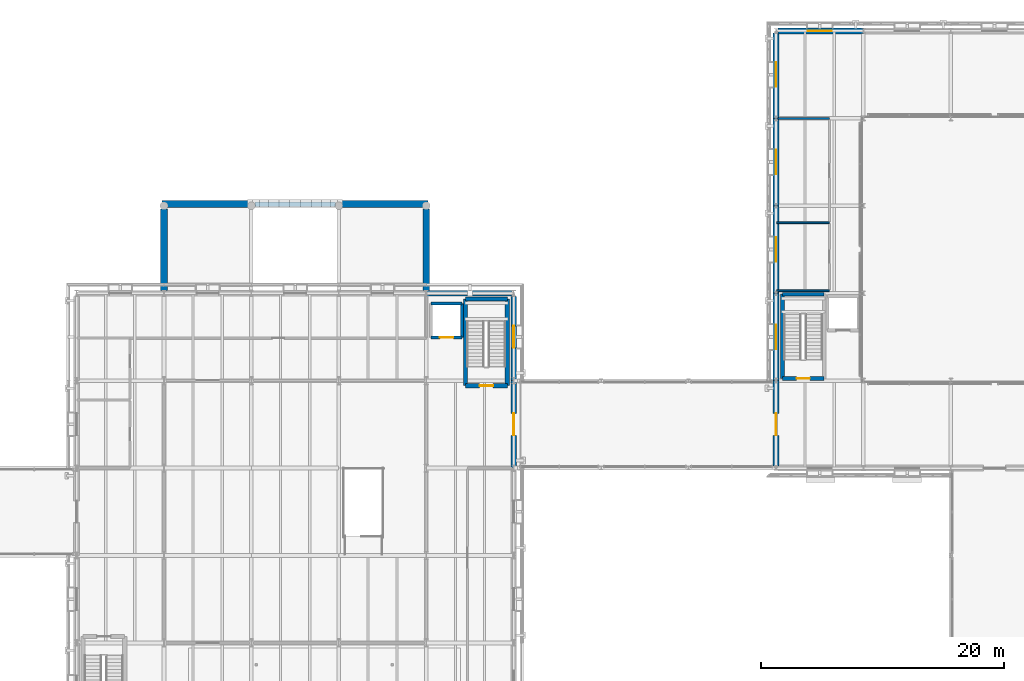
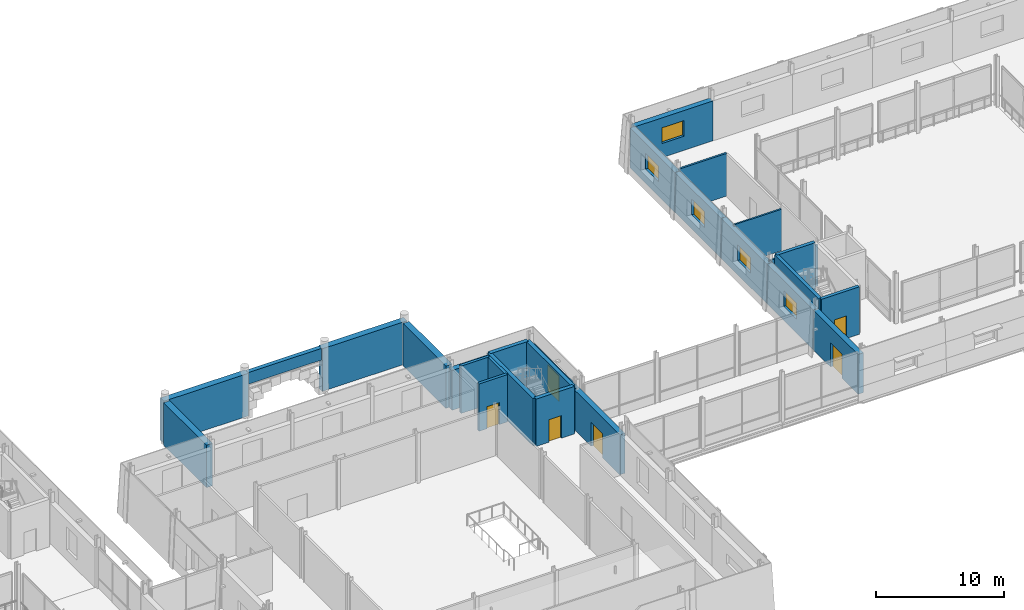
# One storey, part 84 of 121: 27 walls, 6 windows, 5 doors, 11 openings.
"""IFC4 building model written with IfcOpenShell, lengths in metres."""

from ifc_helpers import new_model, si_unit, direction, frame, frame_2d, origin, place, context, subcontext, project, spatial, rectangle, extrude, material, layer, layer_set, type_object, element, fill, save


model = new_model("IFC4")

# Units and contexts
model_context = context("Model", 3, precision=1e-05, world=origin(), true_north=direction((0.0, 1.0)))
body_context = subcontext(model_context, "Body", "Model", "MODEL_VIEW")
ifc_project = project(units=[si_unit("LENGTHUNIT", "METRE"), si_unit("AREAUNIT", "SQUARE_METRE"), si_unit("VOLUMEUNIT", "CUBIC_METRE"), si_unit("PLANEANGLEUNIT", "RADIAN"), si_unit("MASSUNIT", "GRAM", prefix="KILO")], contexts=[model_context])

# Site, building, storey
site_placement = place(None, origin())
site = spatial("IfcSite", under=ifc_project, at=site_placement, CompositionType="ELEMENT")
building_placement = place(site_placement, origin())
building = spatial("IfcBuilding", under=site, at=building_placement, Name="Narikvali Park Central Library", CompositionType="ELEMENT")
storey_placement = place(building_placement, frame((0.0, 0.0, 5.39990234375)))
storey = spatial("IfcBuildingStorey", under=building, at=storey_placement, Name="L01", CompositionType="ELEMENT", Elevation=5.39990234375)

# Walls
ifc_material_1 = material(Name="Kiln-Fired Terracotta Red Brick Masonry", Category="masonry")
ifc_layer_1 = layer(ifc_material_1, 0.56005859375, Name="Kiln-Fired Terracotta Red Brick Masonry")
ifc_layer_set_1 = layer_set([ifc_layer_1], Name="Kiln-Fired Terracotta Red Brick Masonry")
wall_type_1 = type_object("IfcWallType", Name="Kiln-Fired Red Brick Entrance Arch Wall 560", PredefinedType="SOLIDWALL", material=ifc_layer_set_1)
for number, where, z_axis, x_axis, name in (
    (1, (72.0, 93.820068359375, 0.0), (0.0, 0.0, 1.0), (0.0, 1.0, 0.0), "Entrance Portal West Red Brick Side Wall L01"),
    (2, (93.60009765625, 93.820068359375, 0.0), (0.0, 0.0, 1.0), (0.0, 1.0, 0.0), "Entrance Portal East Red Brick Side Wall L01"),
):
    element("IfcWall", number, at=place(storey_placement, frame(where, z_axis=z_axis, x_axis=x_axis)), inside=storey, type_object=wall_type_1, Name=name, PredefinedType="SOLIDWALL", context=body_context, shape_type="SweptSolid", body=[
        extrude(rectangle(XDim=6.699951171875, YDim=0.56005859375, at=frame_2d((3.35009765625, 0.0))), origin(), (0.0, 0.0, 1.0), 4.050048828125),
    ])
for number, where, z_axis, x_axis, name in (
    (3, (71.85009765625, 100.93994140625, 0.0), (0.0, 0.0, 1.0), (1.0, 0.0, 0.0), "Entrance Portal W Upper Red Brick Pylon"),
    (4, (86.1201171875, 100.93994140625, 0.0), (0.0, 0.0, 1.0), (1.0, 0.0, 0.0), "Entrance Portal E Upper Red Brick Pylon"),
):
    element("IfcWall", number, at=place(storey_placement, frame(where, z_axis=z_axis, x_axis=x_axis)), inside=storey, type_object=wall_type_1, Name=name, PredefinedType="SOLIDWALL", context=body_context, shape_type="SweptSolid", body=[
        extrude(rectangle(XDim=7.6298828125, YDim=0.56005859375, at=frame_2d((3.81494140625, 0.0))), origin(), (0.0, 0.0, 1.0), 4.06005859375),
    ])
ifc_layer_2 = layer(ifc_material_1, 0.3798828125, Name="Kiln-Fired Terracotta Red Brick Masonry")
ifc_layer_set_2 = layer_set([ifc_layer_2], Name="Kiln-Fired Terracotta Red Brick Masonry")
wall_type_2 = type_object("IfcWallType", Name="Kiln-Fired Red Brick Spandrel Wall 380", PredefinedType="SOLIDWALL", material=ifc_layer_set_2)
wall_1_placement = place(storey_placement, frame((79.489990234375, 100.93994140625, 2.9501953125), z_axis=(0.0, 0.0, 1.0), x_axis=(1.0, 0.0, 0.0)))
element("IfcWall", 5, at=wall_1_placement, inside=storey, type_object=wall_type_2, Name="Entrance Arch Upper Red Brick Entablature", PredefinedType="SOLIDWALL", context=body_context, shape_type="SweptSolid", body=[
    extrude(rectangle(XDim=6.6201171875, YDim=0.3798828125, at=frame_2d((3.31005859375, 0.0))), origin(), (0.0, 0.0, 1.0), 1.10986328125),
])
ifc_material_2 = material(Name="Moisture-Resistant Cement Board on Steel Studs", Category="steel")
ifc_layer_3 = layer(ifc_material_2, 0.14990234375, Name="Moisture-Resistant Cement Board on Steel Studs")
ifc_layer_set_3 = layer_set([ifc_layer_3], Name="Moisture-Resistant Cement Board on Steel Studs")
wall_type_3 = type_object("IfcWallType", Name="Moisture-Resistant WC Partition 150", PredefinedType="PARTITIONING", material=ifc_layer_set_3)
for number, where, z_axis, x_axis, name in (
    (6, (122.455078125, 93.800048828125, 0.0), (0.0, 0.0, 1.0), (1.0, 0.0, 0.0), "Upper Circle Accessible WC L01 Partition S"),
    (7, (122.455078125, 99.39990234375, 0.0), (0.0, 0.0, 1.0), (1.0, 0.0, 0.0), "Upper Circle Accessible WC L01 Partition N"),
):
    element("IfcWall", number, at=place(storey_placement, frame(where, z_axis=z_axis, x_axis=x_axis)), inside=storey, type_object=wall_type_3, Name=name, PredefinedType="PARTITIONING", context=body_context, shape_type="SweptSolid", body=[
        extrude(rectangle(XDim=4.344970703125, YDim=0.14990234375, at=frame_2d((2.17236328125, 0.0))), origin(), (0.0, 0.0, 1.0), 3.955078125),
    ])
ifc_material_3 = material(Name="Acoustic Gypsum on Steel Studs", Category="steel")
ifc_layer_4 = layer(ifc_material_3, 0.179931640625, Name="Acoustic Gypsum on Steel Studs")
ifc_layer_set_4 = layer_set([ifc_layer_4], Name="Acoustic Gypsum on Steel Studs")
wall_type_4 = type_object("IfcWallType", Name="Reading Room Acoustic Partition 180", PredefinedType="PARTITIONING", material=ifc_layer_set_4)
wall_2_placement = place(storey_placement, frame((122.553955078125, 108.0, 0.0), z_axis=(0.0, 0.0, 1.0), x_axis=(1.0, 0.0, 0.0)))
element("IfcWall", 8, at=wall_2_placement, inside=storey, type_object=wall_type_4, Name="Simultaneous Interpretation and Projection Suite Partition N", PredefinedType="PARTITIONING", context=body_context, shape_type="SweptSolid", body=[
    extrude(rectangle(XDim=4.24609375, YDim=0.179931640625, at=frame_2d((2.123046875, 0.0))), origin(), (0.0, 0.0, 1.0), 4.065185546875),
])

# Wall, opening, door
ifc_material_4 = material(Name="Concrete C40/50", Category="concrete")
ifc_layer_5 = layer(ifc_material_4, 0.35009765625, Name="Concrete C40/50")
ifc_layer_set_5 = layer_set([ifc_layer_5], Name="Concrete C40/50")
wall_type_5 = type_object("IfcWallType", Name="Reinforced Concrete Core Shear Wall 350", PredefinedType="SHEAR", material=ifc_layer_set_5)
wall_3_placement = place(storey_placement, frame((96.830078125, 85.97998046875, 0.0), z_axis=(0.0, 0.0, 1.0), x_axis=(1.0, 0.0, 0.0)))
wall_3 = element("IfcWall", 9, at=wall_3_placement, inside=storey, type_object=wall_type_5, Name="C1B L01 Stair Core Shear Wall S", PredefinedType="SHEAR", context=body_context, shape_type="SweptSolid", body=[
    extrude(rectangle(XDim=3.43994140625, YDim=0.35009765625, at=frame_2d((1.719970703125, 0.0))), origin(), (0.0, 0.0, 1.0), 4.52001953125),
])
opening_1_placement = place(wall_3_placement, frame((1.169921875, 0.0, 0.0)))
opening_1 = element("IfcOpeningElement", 10, at=opening_1_placement, cuts=wall_3, Name="Opening SD-008", PredefinedType="OPENING", context=body_context, shape_type="SweptSolid", body=[
    extrude(rectangle(XDim=1.10009765625, YDim=2.14990234375, at=frame_2d((0.550048828125, 1.074951171875))), frame((0.0, 0.18701171875, 0.0), z_axis=(0.0, -1.0, 0.0), x_axis=(1.0, 0.0, 0.0)), (0.0, 0.0, 1.0), 0.3740234375),
])
ifc_material_5 = material(Name="Powder-Coated Steel S275 Fire Leaf", Category="steel")
door_type_1 = type_object("IfcDoorType", Name="Stair Core Smoke-Control Fire Door 1100x2150", OperationType="SINGLE_SWING_LEFT", PredefinedType="DOOR", material=ifc_material_5)
door_1_placement = place(opening_1_placement, frame((1.10009765625, 0.0, 0.0), z_axis=(0.0, 0.0, 1.0), x_axis=(-1.0, 0.0, 0.0)))
door_1 = element("IfcDoor", 11, at=door_1_placement, inside=storey, type_object=door_type_1, Name="ST-02 L01 Stair Exit Door SD-008", OperationType="SINGLE_SWING_RIGHT", OverallHeight=2.14990234375, OverallWidth=1.10009765625, PredefinedType="DOOR", context=body_context, shape_type="SweptSolid", body=[
    extrude(rectangle(XDim=1.10009765625, YDim=2.14990234375, at=frame_2d((0.550048828125, 1.074951171875))), frame((0.0, 0.02490234375, 0.0), z_axis=(0.0, -1.0, 0.0), x_axis=(1.0, 0.0, 0.0)), (0.0, 0.0, 1.0), 0.050048828125),
])
fill(opening_1, door_1)

# Walls
wall_4_placement = place(storey_placement, frame((100.27001953125, 85.97998046875, 0.0), z_axis=(0.0, 0.0, 1.0), x_axis=(0.0, 1.0, 0.0)))
element("IfcWall", 12, at=wall_4_placement, inside=storey, type_object=wall_type_5, Name="C1B L01 Stair Core Shear Wall E", PredefinedType="SHEAR", context=body_context, shape_type="SweptSolid", body=[
    extrude(rectangle(XDim=7.14013671875, YDim=0.35009765625, at=frame_2d((3.570068359375, 0.0))), origin(), (0.0, 0.0, 1.0), 4.52001953125),
])
wall_5_placement = place(storey_placement, frame((100.27001953125, 93.1201171875, 0.0), z_axis=(0.0, 0.0, 1.0), x_axis=(-1.0, 0.0, 0.0)))
element("IfcWall", 13, at=wall_5_placement, inside=storey, type_object=wall_type_5, Name="C1B L01 Stair Core Shear Wall N", PredefinedType="SHEAR", context=body_context, shape_type="SweptSolid", body=[
    extrude(rectangle(XDim=3.43994140625, YDim=0.35009765625, at=frame_2d((1.719970703125, 0.0))), origin(), (0.0, 0.0, 1.0), 4.52001953125),
])
wall_6_placement = place(storey_placement, frame((96.830078125, 93.1201171875, 0.0), z_axis=(0.0, 0.0, 1.0), x_axis=(0.0, -1.0, 0.0)))
element("IfcWall", 14, at=wall_6_placement, inside=storey, type_object=wall_type_5, Name="C1B L01 Stair Core Shear Wall W", PredefinedType="SHEAR", context=body_context, shape_type="SweptSolid", body=[
    extrude(rectangle(XDim=7.14013671875, YDim=0.35009765625, at=frame_2d((3.570068359375, 0.0))), origin(), (0.0, 0.0, 1.0), 4.52001953125),
])

# Wall, opening, door
ifc_layer_6 = layer(ifc_material_4, 0.25, Name="Concrete C40/50")
ifc_layer_set_6 = layer_set([ifc_layer_6], Name="Concrete C40/50")
wall_type_6 = type_object("IfcWallType", Name="Reinforced Concrete Lift Shaft Wall 250", PredefinedType="SHEAR", material=ifc_layer_set_6)
wall_7_placement = place(storey_placement, frame((94.0, 89.949951171875, 0.0), z_axis=(0.0, 0.0, 1.0), x_axis=(1.0, 0.0, 0.0)))
wall_7 = element("IfcWall", 15, at=wall_7_placement, inside=storey, type_object=wall_type_6, Name="L-02 L01 Lift Shaft Wall S", PredefinedType="SHEAR", context=body_context, shape_type="SweptSolid", body=[
    extrude(rectangle(XDim=2.550048828125, YDim=0.25, at=frame_2d((1.27490234375, 0.0))), origin(), (0.0, 0.0, 1.0), 4.52001953125),
])
opening_2_placement = place(wall_7_placement, frame((0.72509765625, 0.0, 0.0)))
opening_2 = element("IfcOpeningElement", 16, at=opening_2_placement, cuts=wall_7, Name="Opening LD-008", PredefinedType="OPENING", context=body_context, shape_type="SweptSolid", body=[
    extrude(rectangle(XDim=1.10009765625, YDim=2.10009765625, at=frame_2d((0.550048828125, 1.050048828125))), frame((0.0, 0.136962890625, 0.0), z_axis=(0.0, -1.0, 0.0), x_axis=(1.0, 0.0, 0.0)), (0.0, 0.0, 1.0), 0.27392578125),
])
ifc_material_6 = material(Name="Brushed Stainless Steel S355", Category="steel")
door_type_2 = type_object("IfcDoorType", Name="Passenger Lift Sliding Landing Door 1100x2100", OperationType="SLIDING_TO_LEFT", PredefinedType="DOOR", material=ifc_material_6)
door_2_placement = place(opening_2_placement, origin())
door_2 = element("IfcDoor", 17, at=door_2_placement, inside=storey, type_object=door_type_2, Name="L-02 L01 Lift Landing Sliding Door LD-008", OperationType="SLIDING_TO_LEFT", OverallHeight=2.10009765625, OverallWidth=1.10009765625, PredefinedType="DOOR", context=body_context, shape_type="SweptSolid", body=[
    extrude(rectangle(XDim=1.10009765625, YDim=2.10009765625, at=frame_2d((0.550048828125, 1.050048828125))), frame((0.0, 0.02490234375, 0.0), z_axis=(0.0, -1.0, 0.0), x_axis=(1.0, 0.0, 0.0)), (0.0, 0.0, 1.0), 0.050048828125),
])
fill(opening_2, door_2)

# Walls
wall_8_placement = place(storey_placement, frame((96.550048828125, 89.949951171875, 0.0), z_axis=(0.0, 0.0, 1.0), x_axis=(0.0, 1.0, 0.0)))
element("IfcWall", 18, at=wall_8_placement, inside=storey, type_object=wall_type_6, Name="L-02 L01 Lift Shaft Wall E", PredefinedType="SHEAR", context=body_context, shape_type="SweptSolid", body=[
    extrude(rectangle(XDim=2.800048828125, YDim=0.25, at=frame_2d((1.39990234375, 0.0))), origin(), (0.0, 0.0, 1.0), 4.52001953125),
])
wall_9_placement = place(storey_placement, frame((96.550048828125, 92.75, 0.0), z_axis=(0.0, 0.0, 1.0), x_axis=(-1.0, 0.0, 0.0)))
element("IfcWall", 19, at=wall_9_placement, inside=storey, type_object=wall_type_6, Name="L-02 L01 Lift Shaft Wall N", PredefinedType="SHEAR", context=body_context, shape_type="SweptSolid", body=[
    extrude(rectangle(XDim=2.550048828125, YDim=0.25, at=frame_2d((1.27490234375, 0.0))), origin(), (0.0, 0.0, 1.0), 4.52001953125),
])

# Wall, opening, door
ifc_layer_7 = layer(ifc_material_4, 0.300048828125, Name="Concrete C40/50")
ifc_layer_set_7 = layer_set([ifc_layer_7], Name="Concrete C40/50")
wall_type_7 = type_object("IfcWallType", Name="Reinforced Concrete Shear Wall 300", PredefinedType="SHEAR", material=ifc_layer_set_7)
wall_10_placement = place(storey_placement, frame((122.929931640625, 86.580078125, 0.0), z_axis=(0.0, 0.0, 1.0), x_axis=(1.0, 0.0, 0.0)))
wall_10 = element("IfcWall", 20, at=wall_10_placement, inside=storey, type_object=wall_type_7, Name="C3A L01 Stair Core Shear Wall S", PredefinedType="SHEAR", context=body_context, shape_type="SweptSolid", body=[
    extrude(rectangle(XDim=3.440185546875, YDim=0.300048828125, at=frame_2d((1.72021484375, 0.0))), origin(), (0.0, 0.0, 1.0), 4.52001953125),
])
opening_3_placement = place(wall_10_placement, frame((1.169921875, 0.0, 0.0)))
opening_3 = element("IfcOpeningElement", 21, at=opening_3_placement, cuts=wall_10, Name="Opening SD-018", PredefinedType="OPENING", context=body_context, shape_type="SweptSolid", body=[
    extrude(rectangle(XDim=1.10009765625, YDim=2.14990234375, at=frame_2d((0.550048828125, 1.074951171875))), frame((0.0, 0.162109375, 0.0), z_axis=(0.0, -1.0, 0.0), x_axis=(1.0, 0.0, 0.0)), (0.0, 0.0, 1.0), 0.323974609375),
])
door_3_placement = place(opening_3_placement, frame((1.10009765625, 0.0, 0.0), z_axis=(0.0, 0.0, 1.0), x_axis=(-1.0, 0.0, 0.0)))
door_3 = element("IfcDoor", 22, at=door_3_placement, inside=storey, type_object=door_type_1, Name="ST-05 L01 Stair Exit Door SD-018", OperationType="SINGLE_SWING_RIGHT", OverallHeight=2.14990234375, OverallWidth=1.10009765625, PredefinedType="DOOR", context=body_context, shape_type="SweptSolid", body=[
    extrude(rectangle(XDim=1.10009765625, YDim=2.14990234375, at=frame_2d((0.550048828125, 1.074951171875))), frame((0.0, 0.02490234375, 0.0), z_axis=(0.0, -1.0, 0.0), x_axis=(1.0, 0.0, 0.0)), (0.0, 0.0, 1.0), 0.050048828125),
])
fill(opening_3, door_3)

# Walls
wall_11_placement = place(storey_placement, frame((126.3701171875, 93.52001953125, 0.0), z_axis=(0.0, 0.0, 1.0), x_axis=(-1.0, 0.0, 0.0)))
element("IfcWall", 23, at=wall_11_placement, inside=storey, type_object=wall_type_7, Name="C3A L01 Stair Core Shear Wall N", PredefinedType="SHEAR", context=body_context, shape_type="SweptSolid", body=[
    extrude(rectangle(XDim=3.440185546875, YDim=0.300048828125, at=frame_2d((1.72021484375, 0.0))), origin(), (0.0, 0.0, 1.0), 4.52001953125),
])
wall_12_placement = place(storey_placement, frame((122.929931640625, 93.52001953125, 0.0), z_axis=(0.0, 0.0, 1.0), x_axis=(0.0, -1.0, 0.0)))
element("IfcWall", 24, at=wall_12_placement, inside=storey, type_object=wall_type_7, Name="C3A L01 Stair Core Shear Wall W", PredefinedType="SHEAR", context=body_context, shape_type="SweptSolid", body=[
    extrude(rectangle(XDim=6.93994140625, YDim=0.300048828125, at=frame_2d((3.469970703125, 0.0))), origin(), (0.0, 0.0, 1.0), 4.52001953125),
])

# Wall, opening, door
ifc_material_7 = material(Name="White Honed Limestone over Concrete C35/45", Category="masonry")
ifc_layer_8 = layer(ifc_material_7, 0.47998046875, Name="White Honed Limestone over Concrete C35/45")
ifc_layer_set_8 = layer_set([ifc_layer_8], Name="White Honed Limestone over Concrete C35/45")
wall_type_8 = type_object("IfcWallType", Name="White Limestone Battered Tier1 Wall 480", PredefinedType="SOLIDWALL", material=ifc_layer_set_8)
wall_13_placement = place(storey_placement, frame((100.800048828125, 79.199951171875, 0.0), z_axis=(0.0, 0.0, 1.0), x_axis=(0.0, 1.0, 0.0)))
wall_13 = element("IfcWall", 25, at=wall_13_placement, inside=storey, type_object=wall_type_8, Name="V1 L01 E Exterior Limestone Wall B04", PredefinedType="SOLIDWALL", context=body_context, shape_type="SweptSolid", body=[
    extrude(rectangle(XDim=7.199951171875, YDim=0.47998046875, at=frame_2d((3.60009765625, 0.0))), origin(), (0.0, 0.0, 1.0), 3.800048828125),
])
opening_4_placement = place(wall_13_placement, frame((2.699951171875, 0.0, 0.0)))
opening_4 = element("IfcOpeningElement", 26, at=opening_4_placement, cuts=wall_13, Name="Opening BD-007", PredefinedType="OPENING", context=body_context, shape_type="SweptSolid", body=[
    extrude(rectangle(XDim=1.800048828125, YDim=2.300048828125, at=frame_2d((0.89990234375, 1.14990234375))), frame((0.0, 0.251953125, 0.0), z_axis=(0.0, -1.0, 0.0), x_axis=(1.0, 0.0, 0.0)), (0.0, 0.0, 1.0), 0.50390625),
])
ifc_material_8 = material(Name="Fire-Rated Glazing in Steel S275 Frame", Category="steel")
door_type_3 = type_object("IfcDoorType", Name="Glazed Double Corridor Bridge Fire Door 1800x2300", OperationType="DOUBLE_DOOR_SINGLE_SWING", PredefinedType="DOOR", material=ifc_material_8)
door_4_placement = place(opening_4_placement, origin())
door_4 = element("IfcDoor", 27, at=door_4_placement, inside=storey, type_object=door_type_3, Name="V1 L01 Covered Bridge Fire Door BD-007", OperationType="DOUBLE_DOOR_SINGLE_SWING", OverallHeight=2.300048828125, OverallWidth=1.800048828125, PredefinedType="DOOR", context=body_context, shape_type="SweptSolid", body=[
    extrude(rectangle(XDim=1.800048828125, YDim=2.300048828125, at=frame_2d((0.89990234375, 1.14990234375))), frame((0.0, 0.02490234375, 0.0), z_axis=(0.0, -1.0, 0.0), x_axis=(1.0, 0.0, 0.0)), (0.0, 0.0, 1.0), 0.050048828125),
])
fill(opening_4, door_4)

# Wall, opening, window
wall_14_placement = place(storey_placement, frame((100.800048828125, 86.39990234375, 0.0), z_axis=(0.0, 0.0, 1.0), x_axis=(0.0, 1.0, 0.0)))
wall_14 = element("IfcWall", 28, at=wall_14_placement, inside=storey, type_object=wall_type_8, Name="V1 L01 E Exterior Limestone Wall B05", PredefinedType="SOLIDWALL", context=body_context, shape_type="SweptSolid", body=[
    extrude(rectangle(XDim=6.946044921875, YDim=0.47998046875, at=frame_2d((3.47314453125, 0.0))), origin(), (0.0, 0.0, 1.0), 3.800048828125),
])
opening_5_placement = place(wall_14_placement, frame((2.699951171875, 0.0, 0.89990234375)))
opening_5 = element("IfcOpeningElement", 29, at=opening_5_placement, cuts=wall_14, Name="Opening WIN-0016", PredefinedType="OPENING", context=body_context, shape_type="SweptSolid", body=[
    extrude(rectangle(XDim=1.800048828125, YDim=2.449951171875, at=frame_2d((0.89990234375, 1.22509765625))), frame((0.0, 0.251953125, 0.0), z_axis=(0.0, -1.0, 0.0), x_axis=(1.0, 0.0, 0.0)), (0.0, 0.0, 1.0), 0.50390625),
])
ifc_material_9 = material(Name="Anodised Bronze Aluminium and Low-E Triple Glazing", Category="aluminium")
window_type_1 = type_object("IfcWindowType", Name="Rotunda Piano Nobile Tall Classical Window 1800x2450", PartitioningType="DOUBLE_PANEL_VERTICAL", PredefinedType="WINDOW", material=ifc_material_9)
window_1_placement = place(opening_5_placement, origin())
window_1 = element("IfcWindow", 30, at=window_1_placement, inside=storey, type_object=window_type_1, Name="V1 L01 E Deep-Reveal Window WIN-0016", OverallHeight=2.449951171875, OverallWidth=1.800048828125, PartitioningType="SINGLE_PANEL", PredefinedType="WINDOW", context=body_context, shape_type="SweptSolid", body=[
    extrude(rectangle(XDim=1.800048828125, YDim=2.449951171875, at=frame_2d((0.89990234375, 1.22509765625))), frame((0.0, 0.030029296875, 0.0), z_axis=(0.0, -1.0, 0.0), x_axis=(1.0, 0.0, 0.0)), (0.0, 0.0, 1.0), 0.06005859375),
])
fill(opening_5, window_1)

# Wall
wall_15_placement = place(storey_placement, frame((100.64599609375, 93.60009765625, 0.0), z_axis=(0.0, 0.0, 1.0), x_axis=(-1.0, 0.0, 0.0)))
element("IfcWall", 31, at=wall_15_placement, inside=storey, type_object=wall_type_8, Name="V1 L01 N Exterior Limestone Wall B01", PredefinedType="SOLIDWALL", context=body_context, shape_type="SweptSolid", body=[
    extrude(rectangle(XDim=7.0458984375, YDim=0.47998046875, at=frame_2d((3.52294921875, 0.0))), origin(), (0.0, 0.0, 1.0), 3.800048828125),
])

# Wall, opening, window
wall_16_placement = place(storey_placement, frame((129.60009765625, 115.199951171875, 0.0), z_axis=(0.0, 0.0, 1.0), x_axis=(-1.0, 0.0, 0.0)))
wall_16 = element("IfcWall", 32, at=wall_16_placement, inside=storey, type_object=wall_type_8, Name="V3 L01 N Exterior Limestone Wall B06", PredefinedType="SOLIDWALL", context=body_context, shape_type="SweptSolid", body=[
    extrude(rectangle(XDim=7.046142578125, YDim=0.47998046875, at=frame_2d((3.52294921875, 0.0))), origin(), (0.0, 0.0, 1.0), 3.800048828125),
])
opening_6_placement = place(wall_16_placement, frame((2.60009765625, 0.0, 1.35009765625)))
opening_6 = element("IfcOpeningElement", 33, at=opening_6_placement, cuts=wall_16, Name="Opening WIN-0102", PredefinedType="OPENING", context=body_context, shape_type="SweptSolid", body=[
    extrude(rectangle(XDim=2.0, YDim=1.5, at=frame_2d((1.0, 0.75))), frame((0.0, 0.251953125, 0.0), z_axis=(0.0, -1.0, 0.0), x_axis=(1.0, 0.0, 0.0)), (0.0, 0.0, 1.0), 0.50390625),
])
window_type_2 = type_object("IfcWindowType", Name="Auditorium Acoustic Clerestory Window 2000x1500", PartitioningType="DOUBLE_PANEL_HORIZONTAL", PredefinedType="WINDOW", material=ifc_material_9)
window_2_placement = place(opening_6_placement, origin())
window_2 = element("IfcWindow", 34, at=window_2_placement, inside=storey, type_object=window_type_2, Name="V3 L01 N Deep-Reveal Window WIN-0102", OverallHeight=1.5, OverallWidth=2.0, PartitioningType="SINGLE_PANEL", PredefinedType="WINDOW", context=body_context, shape_type="SweptSolid", body=[
    extrude(rectangle(XDim=2.0, YDim=1.5, at=frame_2d((1.0, 0.75))), frame((0.0, 0.030029296875, 0.0), z_axis=(0.0, -1.0, 0.0), x_axis=(1.0, 0.0, 0.0)), (0.0, 0.0, 1.0), 0.06005859375),
])
fill(opening_6, window_2)

wall_17_placement = place(storey_placement, frame((122.39990234375, 115.01611328125, 0.0), z_axis=(0.0, 0.0, 1.0), x_axis=(0.0, -1.0, 0.0)))
wall_17 = element("IfcWall", 35, at=wall_17_placement, inside=storey, type_object=wall_type_8, Name="V3 L01 W Exterior Limestone Wall B01", PredefinedType="SOLIDWALL", context=body_context, shape_type="SweptSolid", body=[
    extrude(rectangle(XDim=7.01611328125, YDim=0.47998046875, at=frame_2d((3.508056640625, 0.0))), origin(), (0.0, 0.0, 1.0), 3.800048828125),
])
opening_7_placement = place(wall_17_placement, frame((2.416015625, 0.0, 1.35009765625)))
opening_7 = element("IfcOpeningElement", 36, at=opening_7_placement, cuts=wall_17, Name="Opening WIN-0103", PredefinedType="OPENING", context=body_context, shape_type="SweptSolid", body=[
    extrude(rectangle(XDim=2.0, YDim=1.5, at=frame_2d((1.0, 0.75))), frame((0.0, 0.251953125, 0.0), z_axis=(0.0, -1.0, 0.0), x_axis=(1.0, 0.0, 0.0)), (0.0, 0.0, 1.0), 0.50390625),
])
window_3_placement = place(opening_7_placement, origin())
window_3 = element("IfcWindow", 37, at=window_3_placement, inside=storey, type_object=window_type_2, Name="V3 L01 W Deep-Reveal Window WIN-0103", OverallHeight=1.5, OverallWidth=2.0, PartitioningType="SINGLE_PANEL", PredefinedType="WINDOW", context=body_context, shape_type="SweptSolid", body=[
    extrude(rectangle(XDim=2.0, YDim=1.5, at=frame_2d((1.0, 0.75))), frame((0.0, 0.030029296875, 0.0), z_axis=(0.0, -1.0, 0.0), x_axis=(1.0, 0.0, 0.0)), (0.0, 0.0, 1.0), 0.06005859375),
])
fill(opening_7, window_3)

wall_18_placement = place(storey_placement, frame((122.39990234375, 108.0, 0.0), z_axis=(0.0, 0.0, 1.0), x_axis=(0.0, -1.0, 0.0)))
wall_18 = element("IfcWall", 38, at=wall_18_placement, inside=storey, type_object=wall_type_8, Name="V3 L01 W Exterior Limestone Wall B02", PredefinedType="SOLIDWALL", context=body_context, shape_type="SweptSolid", body=[
    extrude(rectangle(XDim=7.199951171875, YDim=0.47998046875, at=frame_2d((3.60009765625, 0.0))), origin(), (0.0, 0.0, 1.0), 3.800048828125),
])
opening_8_placement = place(wall_18_placement, frame((2.60009765625, 0.0, 1.35009765625)))
opening_8 = element("IfcOpeningElement", 39, at=opening_8_placement, cuts=wall_18, Name="Opening WIN-0104", PredefinedType="OPENING", context=body_context, shape_type="SweptSolid", body=[
    extrude(rectangle(XDim=2.0, YDim=1.5, at=frame_2d((1.0, 0.75))), frame((0.0, 0.251953125, 0.0), z_axis=(0.0, -1.0, 0.0), x_axis=(1.0, 0.0, 0.0)), (0.0, 0.0, 1.0), 0.50390625),
])
window_4_placement = place(opening_8_placement, origin())
window_4 = element("IfcWindow", 40, at=window_4_placement, inside=storey, type_object=window_type_2, Name="V3 L01 W Deep-Reveal Window WIN-0104", OverallHeight=1.5, OverallWidth=2.0, PartitioningType="SINGLE_PANEL", PredefinedType="WINDOW", context=body_context, shape_type="SweptSolid", body=[
    extrude(rectangle(XDim=2.0, YDim=1.5, at=frame_2d((1.0, 0.75))), frame((0.0, 0.030029296875, 0.0), z_axis=(0.0, -1.0, 0.0), x_axis=(1.0, 0.0, 0.0)), (0.0, 0.0, 1.0), 0.06005859375),
])
fill(opening_8, window_4)

wall_19_placement = place(storey_placement, frame((122.39990234375, 100.800048828125, 0.0), z_axis=(0.0, 0.0, 1.0), x_axis=(0.0, -1.0, 0.0)))
wall_19 = element("IfcWall", 41, at=wall_19_placement, inside=storey, type_object=wall_type_8, Name="V3 L01 W Exterior Limestone Wall B03", PredefinedType="SOLIDWALL", context=body_context, shape_type="SweptSolid", body=[
    extrude(rectangle(XDim=7.199951171875, YDim=0.47998046875, at=frame_2d((3.60009765625, 0.0))), origin(), (0.0, 0.0, 1.0), 3.800048828125),
])
opening_9_placement = place(wall_19_placement, frame((2.60009765625, 0.0, 1.35009765625)))
opening_9 = element("IfcOpeningElement", 42, at=opening_9_placement, cuts=wall_19, Name="Opening WIN-0105", PredefinedType="OPENING", context=body_context, shape_type="SweptSolid", body=[
    extrude(rectangle(XDim=2.0, YDim=1.5, at=frame_2d((1.0, 0.75))), frame((0.0, 0.251953125, 0.0), z_axis=(0.0, -1.0, 0.0), x_axis=(1.0, 0.0, 0.0)), (0.0, 0.0, 1.0), 0.50390625),
])
window_5_placement = place(opening_9_placement, origin())
window_5 = element("IfcWindow", 43, at=window_5_placement, inside=storey, type_object=window_type_2, Name="V3 L01 W Deep-Reveal Window WIN-0105", OverallHeight=1.5, OverallWidth=2.0, PartitioningType="SINGLE_PANEL", PredefinedType="WINDOW", context=body_context, shape_type="SweptSolid", body=[
    extrude(rectangle(XDim=2.0, YDim=1.5, at=frame_2d((1.0, 0.75))), frame((0.0, 0.030029296875, 0.0), z_axis=(0.0, -1.0, 0.0), x_axis=(1.0, 0.0, 0.0)), (0.0, 0.0, 1.0), 0.06005859375),
])
fill(opening_9, window_5)

wall_20_placement = place(storey_placement, frame((122.39990234375, 93.60009765625, 0.0), z_axis=(0.0, 0.0, 1.0), x_axis=(0.0, -1.0, 0.0)))
wall_20 = element("IfcWall", 44, at=wall_20_placement, inside=storey, type_object=wall_type_8, Name="V3 L01 W Exterior Limestone Wall B04", PredefinedType="SOLIDWALL", context=body_context, shape_type="SweptSolid", body=[
    extrude(rectangle(XDim=7.2001953125, YDim=0.47998046875, at=frame_2d((3.60009765625, 0.0))), origin(), (0.0, 0.0, 1.0), 3.800048828125),
])
opening_10_placement = place(wall_20_placement, frame((2.60009765625, 0.0, 1.35009765625)))
opening_10 = element("IfcOpeningElement", 45, at=opening_10_placement, cuts=wall_20, Name="Opening WIN-0106", PredefinedType="OPENING", context=body_context, shape_type="SweptSolid", body=[
    extrude(rectangle(XDim=2.0, YDim=1.5, at=frame_2d((1.0, 0.75))), frame((0.0, 0.251953125, 0.0), z_axis=(0.0, -1.0, 0.0), x_axis=(1.0, 0.0, 0.0)), (0.0, 0.0, 1.0), 0.50390625),
])
window_6_placement = place(opening_10_placement, origin())
window_6 = element("IfcWindow", 46, at=window_6_placement, inside=storey, type_object=window_type_2, Name="V3 L01 W Deep-Reveal Window WIN-0106", OverallHeight=1.5, OverallWidth=2.0, PartitioningType="SINGLE_PANEL", PredefinedType="WINDOW", context=body_context, shape_type="SweptSolid", body=[
    extrude(rectangle(XDim=2.0, YDim=1.5, at=frame_2d((1.0, 0.75))), frame((0.0, 0.030029296875, 0.0), z_axis=(0.0, -1.0, 0.0), x_axis=(1.0, 0.0, 0.0)), (0.0, 0.0, 1.0), 0.06005859375),
])
fill(opening_10, window_6)

# Wall, opening, door
wall_21_placement = place(storey_placement, frame((122.39990234375, 86.39990234375, 0.0), z_axis=(0.0, 0.0, 1.0), x_axis=(0.0, -1.0, 0.0)))
wall_21 = element("IfcWall", 47, at=wall_21_placement, inside=storey, type_object=wall_type_8, Name="V3 L01 W Exterior Limestone Wall B05", PredefinedType="SOLIDWALL", context=body_context, shape_type="SweptSolid", body=[
    extrude(rectangle(XDim=7.015869140625, YDim=0.47998046875, at=frame_2d((3.5078125, 0.0))), origin(), (0.0, 0.0, 1.0), 3.800048828125),
])
opening_11_placement = place(wall_21_placement, frame((2.699951171875, 0.0, 0.0)))
opening_11 = element("IfcOpeningElement", 48, at=opening_11_placement, cuts=wall_21, Name="Opening BD-026", PredefinedType="OPENING", context=body_context, shape_type="SweptSolid", body=[
    extrude(rectangle(XDim=1.800048828125, YDim=2.300048828125, at=frame_2d((0.89990234375, 1.14990234375))), frame((0.0, 0.251953125, 0.0), z_axis=(0.0, -1.0, 0.0), x_axis=(1.0, 0.0, 0.0)), (0.0, 0.0, 1.0), 0.50390625),
])
door_5_placement = place(opening_11_placement, origin())
door_5 = element("IfcDoor", 49, at=door_5_placement, inside=storey, type_object=door_type_3, Name="V3 L01 Covered Bridge Fire Door BD-026", OperationType="DOUBLE_DOOR_SINGLE_SWING", OverallHeight=2.300048828125, OverallWidth=1.800048828125, PredefinedType="DOOR", context=body_context, shape_type="SweptSolid", body=[
    extrude(rectangle(XDim=1.800048828125, YDim=2.300048828125, at=frame_2d((0.89990234375, 1.14990234375))), frame((0.0, 0.02490234375, 0.0), z_axis=(0.0, -1.0, 0.0), x_axis=(1.0, 0.0, 0.0)), (0.0, 0.0, 1.0), 0.050048828125),
])
fill(opening_11, door_5)

save(model, "model.ifc")
